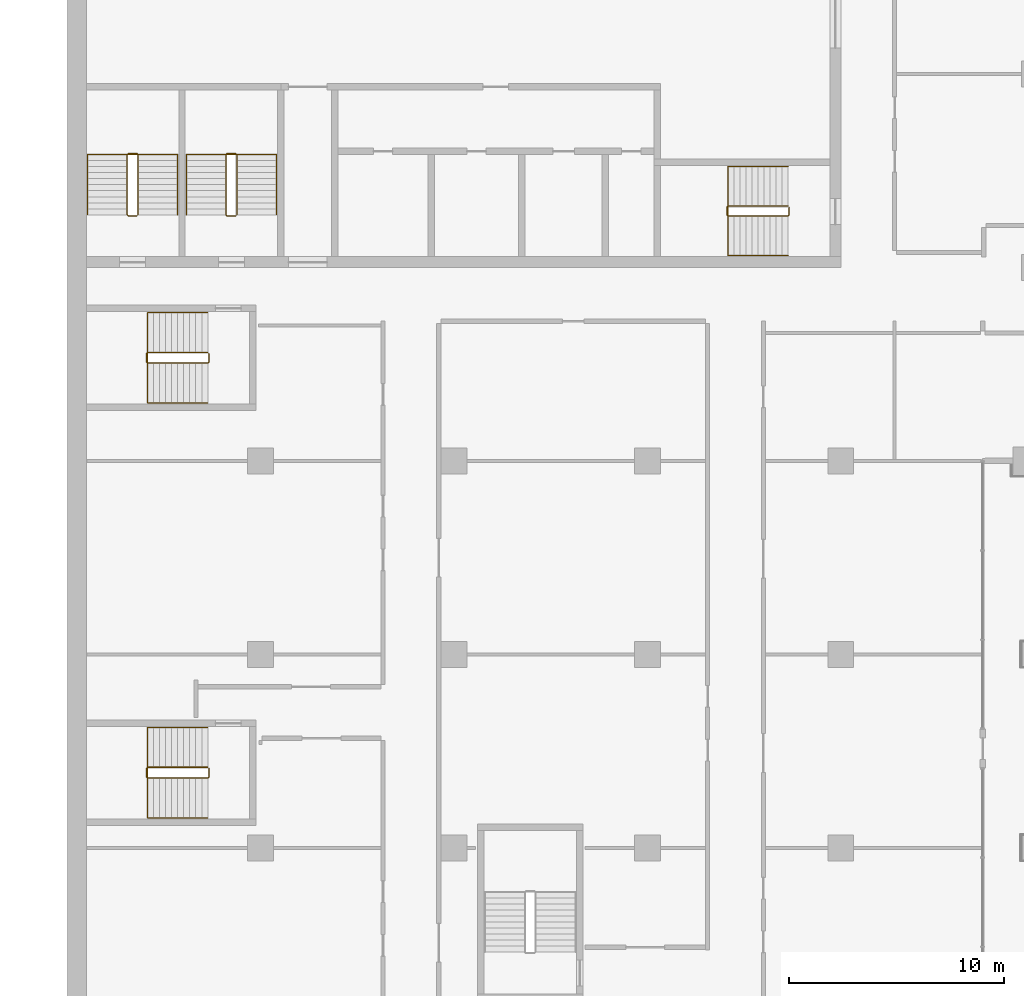
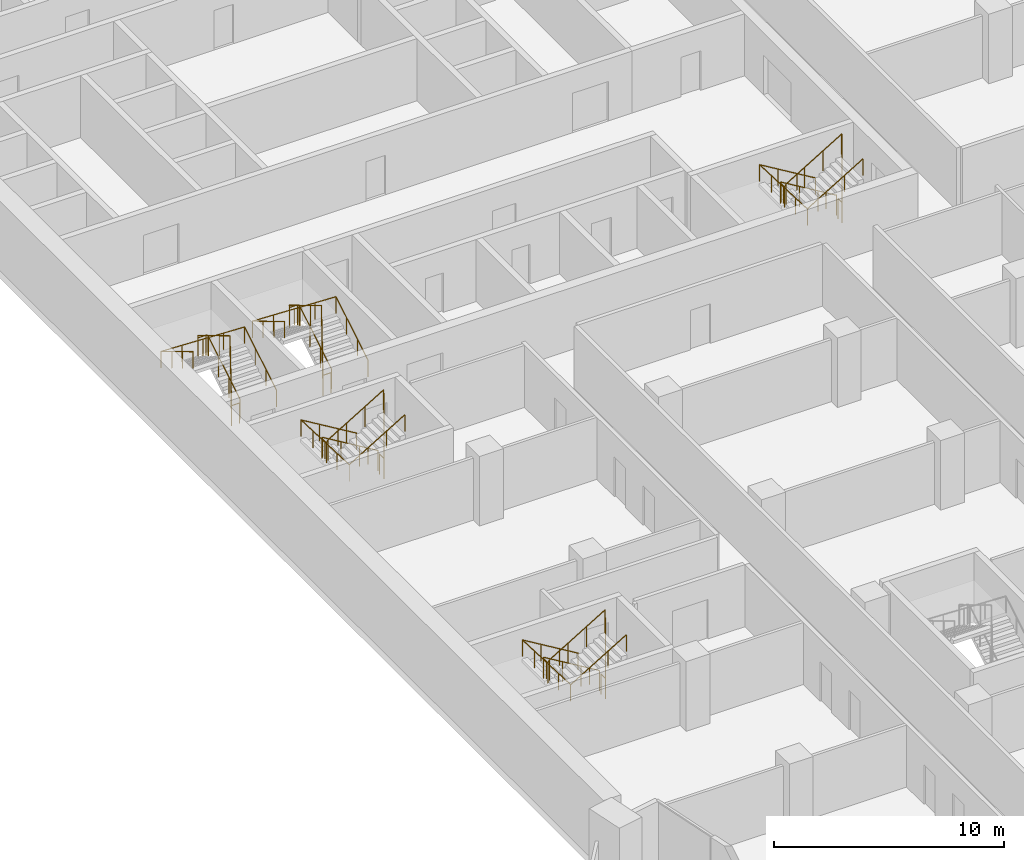
# One storey, part 20 of 22: 10 railings.
"""IFC4 building model written with IfcOpenShell, lengths in metres."""

from ifc_helpers import new_model, si_unit, direction, frame, origin, origin_2d, place, context, subcontext, project, spatial, circle, extrude, material, type_object, element, save


model = new_model("IFC4")

# Units and contexts
model_context = context("Model", 3, precision=1e-05, world=origin(), true_north=direction((0.0, 1.0)))
body_context = subcontext(model_context, "Body", "Model", "MODEL_VIEW")
ifc_project = project(units=[si_unit("LENGTHUNIT", "METRE"), si_unit("AREAUNIT", "SQUARE_METRE"), si_unit("VOLUMEUNIT", "CUBIC_METRE"), si_unit("PLANEANGLEUNIT", "RADIAN"), si_unit("MASSUNIT", "GRAM", prefix="KILO")], contexts=[model_context])

# Site, building, storey
site_placement = place(None, origin())
site = spatial("IfcSite", under=ifc_project, at=site_placement, CompositionType="ELEMENT")
building_placement = place(site_placement, origin())
building = spatial("IfcBuilding", under=site, at=building_placement, Name="Hunhe Ridgeline Campus", CompositionType="ELEMENT")
storey_placement = place(building_placement, frame((0.0, 0.0, 159.699951171875)))
storey = spatial("IfcBuildingStorey", under=building, at=storey_placement, Name="L40", CompositionType="ELEMENT", Elevation=159.699951171875)

# Railings
ifc_material_1 = material(Name="Stainless steel balustrade", Category="steel")
railing_type_1 = type_object("IfcRailingType", Name="Stair guard 1100 stainless", PredefinedType="GUARDRAIL", material=ifc_material_1)
railing_1_placement = place(storey_placement, frame((33.550048828125, 65.85009765625, 0.168212890625)))
element("IfcRailing", 1, at=railing_1_placement, inside=storey, type_object=railing_type_1, Name="L40 stair S2 guard", PredefinedType="GUARDRAIL", context=body_context, shape_type="SweptSolid", body=[
    extrude(circle(Radius=0.02392578125, at=origin_2d()), frame((0.0, 0.0, 1.076171875), z_axis=(-0.857242210791, 0.0, 0.514913383045), x_axis=(0.0, -1.0, 0.0)), (0.0, 0.0, 1.0), 3.266357421875),
    extrude(circle(Radius=0.02392578125, at=origin_2d()), frame((-2.800048828125, 0.0, 2.7578125), z_axis=(-0.707106781187, -0.707106781187, 0.0), x_axis=(0.707106781187, -0.707106781187, 0.0)), (0.0, 0.0, 1.0), 0.07080078125),
    extrude(circle(Radius=0.02392578125, at=origin_2d()), frame((-2.85009765625, -0.050048828125, 2.7578125), z_axis=(0.0, -1.0, 0.0), x_axis=(1.0, 0.0, 0.0)), (0.0, 0.0, 1.0), 0.35009765625),
    extrude(circle(Radius=0.02392578125, at=origin_2d()), frame((-2.85009765625, -0.400146484375, 2.7578125), z_axis=(0.274243871929, -0.274243871929, 0.92172696468), x_axis=(0.707106781187, 0.707106781187, 0.0)), (0.0, 0.0, 1.0), 0.1826171875),
    extrude(circle(Radius=0.02392578125, at=origin_2d()), frame((-2.800048828125, -0.4501953125, 2.92626953125), z_axis=(0.857275202839, 0.0, 0.514858452973), x_axis=(0.0, 1.0, 0.0)), (0.0, 0.0, 1.0), 3.26611328125),
    extrude(circle(Radius=0.02392578125, at=origin_2d()), frame((0.0, -0.4501953125, 4.60791015625), z_axis=(0.013524414389, 0.013524414389, -0.999817073484), x_axis=(-0.707106781187, 0.707106781187, 0.0)), (0.0, 0.0, 1.0), 3.70068359375),
    extrude(circle(Radius=0.02392578125, at=origin_2d()), frame((0.050048828125, -0.400146484375, 0.90771484375), z_axis=(0.0, 1.0, 0.0), x_axis=(-1.0, 0.0, 0.0)), (0.0, 0.0, 1.0), 0.35009765625),
    extrude(circle(Radius=0.02099609375, at=origin_2d()), origin(), (0.0, 0.0, 1.0), 1.052001953125),
    extrude(circle(Radius=0.02099609375, at=origin_2d()), frame((-0.933349609375, 0.0, 0.560546875)), (0.0, 0.0, 1.0), 1.052001953125),
    extrude(circle(Radius=0.02099609375, at=origin_2d()), frame((-1.86669921875, 0.0, 1.121337890625)), (0.0, 0.0, 1.0), 1.052001953125),
    extrude(circle(Radius=0.02099609375, at=origin_2d()), frame((-2.800048828125, 0.0, 1.681884765625)), (0.0, 0.0, 1.0), 1.052001953125),
    extrude(circle(Radius=0.02099609375, at=origin_2d()), frame((-2.85009765625, -0.050048828125, 1.681884765625)), (0.0, 0.0, 1.0), 1.052001953125),
    extrude(circle(Radius=0.02099609375, at=origin_2d()), frame((-2.85009765625, -0.400146484375, 1.681884765625)), (0.0, 0.0, 1.0), 1.052001953125),
    extrude(circle(Radius=0.02099609375, at=origin_2d()), frame((-2.800048828125, -0.4501953125, 1.85009765625)), (0.0, 0.0, 1.0), 1.052001953125),
    extrude(circle(Radius=0.02099609375, at=origin_2d()), frame((-1.86669921875, -0.4501953125, 2.41064453125)), (0.0, 0.0, 1.0), 1.052001953125),
    extrude(circle(Radius=0.02099609375, at=origin_2d()), frame((-0.933349609375, -0.4501953125, 2.97119140625)), (0.0, 0.0, 1.0), 1.052001953125),
    extrude(circle(Radius=0.02099609375, at=origin_2d()), frame((0.0, -0.4501953125, 3.53173828125)), (0.0, 0.0, 1.0), 1.052001953125),
    extrude(circle(Radius=0.02099609375, at=origin_2d()), frame((0.012451171875, -0.437744140625, 2.606689453125)), (0.0, 0.0, 1.0), 1.052001953125),
    extrude(circle(Radius=0.02099609375, at=origin_2d()), frame((0.02490234375, -0.42529296875, 1.681640625)), (0.0, 0.0, 1.0), 1.052001953125),
    extrude(circle(Radius=0.02099609375, at=origin_2d()), frame((0.03759765625, -0.41259765625, 0.7568359375)), (0.0, 0.0, 1.0), 1.052001953125),
    extrude(circle(Radius=0.02099609375, at=origin_2d()), frame((0.050048828125, -0.400146484375, -0.168212890625)), (0.0, 0.0, 1.0), 1.052001953125),
    extrude(circle(Radius=0.02099609375, at=origin_2d()), frame((0.050048828125, -0.050048828125, -0.168212890625)), (0.0, 0.0, 1.0), 1.052001953125),
])
railing_2_placement = place(storey_placement, frame((3.300048828125, 65.449951171875, 0.168212890625)))
element("IfcRailing", 2, at=railing_2_placement, inside=storey, type_object=railing_type_1, Name="L40 stair S3 guard", PredefinedType="GUARDRAIL", context=body_context, shape_type="SweptSolid", body=[
    extrude(circle(Radius=0.02392578125, at=origin_2d()), frame((0.0, 0.0, 1.076171875), z_axis=(0.0, 0.857242210791, 0.514913383045), x_axis=(-1.0, 0.0, 0.0)), (0.0, 0.0, 1.0), 3.266357421875),
    extrude(circle(Radius=0.02392578125, at=origin_2d()), frame((0.0, 2.800048828125, 2.7578125), z_axis=(-0.707106781187, 0.707106781187, 0.0), x_axis=(-0.707106781187, -0.707106781187, 0.0)), (0.0, 0.0, 1.0), 0.07080078125),
    extrude(circle(Radius=0.02392578125, at=origin_2d()), frame((-0.050048828125, 2.85009765625, 2.7578125), z_axis=(-1.0, 0.0, 0.0), x_axis=(0.0, -1.0, 0.0)), (0.0, 0.0, 1.0), 0.39990234375),
    extrude(circle(Radius=0.02392578125, at=origin_2d()), frame((-0.449951171875, 2.85009765625, 2.7578125), z_axis=(-0.274243871929, -0.274243871929, 0.92172696468), x_axis=(0.707106781187, -0.707106781187, 0.0)), (0.0, 0.0, 1.0), 0.1826171875),
    extrude(circle(Radius=0.02392578125, at=origin_2d()), frame((-0.5, 2.800048828125, 2.92626953125), z_axis=(0.0, -0.857275202839, 0.514858452973), x_axis=(1.0, 0.0, 0.0)), (0.0, 0.0, 1.0), 3.26611328125),
    extrude(circle(Radius=0.02392578125, at=origin_2d()), frame((-0.5, 0.0, 4.60791015625), z_axis=(0.013524414389, -0.013524414389, -0.999817073484), x_axis=(0.707106781187, 0.707106781187, 0.0)), (0.0, 0.0, 1.0), 3.70068359375),
    extrude(circle(Radius=0.02392578125, at=origin_2d()), frame((-0.449951171875, -0.050048828125, 0.90771484375), z_axis=(1.0, 0.0, 0.0), x_axis=(0.0, 1.0, 0.0)), (0.0, 0.0, 1.0), 0.39990234375),
    extrude(circle(Radius=0.02099609375, at=origin_2d()), origin(), (0.0, 0.0, 1.0), 1.052001953125),
    extrude(circle(Radius=0.02099609375, at=origin_2d()), frame((0.0, 0.933349609375, 0.560546875)), (0.0, 0.0, 1.0), 1.052001953125),
    extrude(circle(Radius=0.02099609375, at=origin_2d()), frame((0.0, 1.86669921875, 1.121337890625)), (0.0, 0.0, 1.0), 1.052001953125),
    extrude(circle(Radius=0.02099609375, at=origin_2d()), frame((0.0, 2.800048828125, 1.681884765625)), (0.0, 0.0, 1.0), 1.052001953125),
    extrude(circle(Radius=0.02099609375, at=origin_2d()), frame((-0.050048828125, 2.85009765625, 1.681884765625)), (0.0, 0.0, 1.0), 1.052001953125),
    extrude(circle(Radius=0.02099609375, at=origin_2d()), frame((-0.449951171875, 2.85009765625, 1.681884765625)), (0.0, 0.0, 1.0), 1.052001953125),
    extrude(circle(Radius=0.02099609375, at=origin_2d()), frame((-0.5, 2.800048828125, 1.85009765625)), (0.0, 0.0, 1.0), 1.052001953125),
    extrude(circle(Radius=0.02099609375, at=origin_2d()), frame((-0.5, 1.86669921875, 2.41064453125)), (0.0, 0.0, 1.0), 1.052001953125),
    extrude(circle(Radius=0.02099609375, at=origin_2d()), frame((-0.5, 0.933349609375, 2.97119140625)), (0.0, 0.0, 1.0), 1.052001953125),
    extrude(circle(Radius=0.02099609375, at=origin_2d()), frame((-0.5, 0.0, 3.53173828125)), (0.0, 0.0, 1.0), 1.052001953125),
    extrude(circle(Radius=0.02099609375, at=origin_2d()), frame((-0.487548828125, -0.012451171875, 2.606689453125)), (0.0, 0.0, 1.0), 1.052001953125),
    extrude(circle(Radius=0.02099609375, at=origin_2d()), frame((-0.47509765625, -0.02490234375, 1.681640625)), (0.0, 0.0, 1.0), 1.052001953125),
    extrude(circle(Radius=0.02099609375, at=origin_2d()), frame((-0.46240234375, -0.03759765625, 0.7568359375)), (0.0, 0.0, 1.0), 1.052001953125),
    extrude(circle(Radius=0.02099609375, at=origin_2d()), frame((-0.449951171875, -0.050048828125, -0.168212890625)), (0.0, 0.0, 1.0), 1.052001953125),
    extrude(circle(Radius=0.02099609375, at=origin_2d()), frame((-0.050048828125, -0.050048828125, -0.168212890625)), (0.0, 0.0, 1.0), 1.052001953125),
])
railing_3_placement = place(storey_placement, frame((7.89990234375, 65.449951171875, 0.168212890625)))
element("IfcRailing", 3, at=railing_3_placement, inside=storey, type_object=railing_type_1, Name="L40 stair S4 guard", PredefinedType="GUARDRAIL", context=body_context, shape_type="SweptSolid", body=[
    extrude(circle(Radius=0.02392578125, at=origin_2d()), frame((0.0, 0.0, 1.076171875), z_axis=(0.0, 0.857242210791, 0.514913383045), x_axis=(-1.0, 0.0, 0.0)), (0.0, 0.0, 1.0), 3.266357421875),
    extrude(circle(Radius=0.02392578125, at=origin_2d()), frame((0.0, 2.800048828125, 2.7578125), z_axis=(-0.705375805398, 0.708833529934, 0.0), x_axis=(-0.708833529934, -0.705375805398, 0.0)), (0.0, 0.0, 1.0), 0.070556640625),
    extrude(circle(Radius=0.02392578125, at=origin_2d()), frame((-0.0498046875, 2.85009765625, 2.7578125), z_axis=(-1.0, 0.0, 0.0), x_axis=(0.0, -1.0, 0.0)), (0.0, 0.0, 1.0), 0.400146484375),
    extrude(circle(Radius=0.02392578125, at=origin_2d()), frame((-0.449951171875, 2.85009765625, 2.7578125), z_axis=(-0.274243871929, -0.274243871929, 0.92172696468), x_axis=(0.707106781187, -0.707106781187, 0.0)), (0.0, 0.0, 1.0), 0.1826171875),
    extrude(circle(Radius=0.02392578125, at=origin_2d()), frame((-0.5, 2.800048828125, 2.92626953125), z_axis=(0.0, -0.857275202839, 0.514858452973), x_axis=(1.0, 0.0, 0.0)), (0.0, 0.0, 1.0), 3.26611328125),
    extrude(circle(Radius=0.02392578125, at=origin_2d()), frame((-0.5, 0.0, 4.60791015625), z_axis=(0.013524414389, -0.013524414389, -0.999817073484), x_axis=(0.707106781187, 0.707106781187, 0.0)), (0.0, 0.0, 1.0), 3.70068359375),
    extrude(circle(Radius=0.02392578125, at=origin_2d()), frame((-0.449951171875, -0.050048828125, 0.90771484375), z_axis=(1.0, 0.0, 0.0), x_axis=(0.0, 1.0, 0.0)), (0.0, 0.0, 1.0), 0.400146484375),
    extrude(circle(Radius=0.02099609375, at=origin_2d()), origin(), (0.0, 0.0, 1.0), 1.052001953125),
    extrude(circle(Radius=0.02099609375, at=origin_2d()), frame((0.0, 0.933349609375, 0.560546875)), (0.0, 0.0, 1.0), 1.052001953125),
    extrude(circle(Radius=0.02099609375, at=origin_2d()), frame((0.0, 1.86669921875, 1.121337890625)), (0.0, 0.0, 1.0), 1.052001953125),
    extrude(circle(Radius=0.02099609375, at=origin_2d()), frame((0.0, 2.800048828125, 1.681884765625)), (0.0, 0.0, 1.0), 1.052001953125),
    extrude(circle(Radius=0.02099609375, at=origin_2d()), frame((-0.0498046875, 2.85009765625, 1.681884765625)), (0.0, 0.0, 1.0), 1.052001953125),
    extrude(circle(Radius=0.02099609375, at=origin_2d()), frame((-0.449951171875, 2.85009765625, 1.681884765625)), (0.0, 0.0, 1.0), 1.052001953125),
    extrude(circle(Radius=0.02099609375, at=origin_2d()), frame((-0.5, 2.800048828125, 1.85009765625)), (0.0, 0.0, 1.0), 1.052001953125),
    extrude(circle(Radius=0.02099609375, at=origin_2d()), frame((-0.5, 1.86669921875, 2.41064453125)), (0.0, 0.0, 1.0), 1.052001953125),
    extrude(circle(Radius=0.02099609375, at=origin_2d()), frame((-0.5, 0.933349609375, 2.97119140625)), (0.0, 0.0, 1.0), 1.052001953125),
    extrude(circle(Radius=0.02099609375, at=origin_2d()), frame((-0.5, 0.0, 3.53173828125)), (0.0, 0.0, 1.0), 1.052001953125),
    extrude(circle(Radius=0.02099609375, at=origin_2d()), frame((-0.487548828125, -0.012451171875, 2.606689453125)), (0.0, 0.0, 1.0), 1.052001953125),
    extrude(circle(Radius=0.02099609375, at=origin_2d()), frame((-0.47509765625, -0.02490234375, 1.681640625)), (0.0, 0.0, 1.0), 1.052001953125),
    extrude(circle(Radius=0.02099609375, at=origin_2d()), frame((-0.46240234375, -0.03759765625, 0.7568359375)), (0.0, 0.0, 1.0), 1.052001953125),
    extrude(circle(Radius=0.02099609375, at=origin_2d()), frame((-0.449951171875, -0.050048828125, -0.168212890625)), (0.0, 0.0, 1.0), 1.052001953125),
    extrude(circle(Radius=0.02099609375, at=origin_2d()), frame((-0.0498046875, -0.050048828125, -0.168212890625)), (0.0, 0.0, 1.0), 1.052001953125),
])
railing_4_placement = place(storey_placement, frame((6.550048828125, 39.75, 0.168212890625)))
element("IfcRailing", 4, at=railing_4_placement, inside=storey, type_object=railing_type_1, Name="L40 stair W1 guard", PredefinedType="GUARDRAIL", context=body_context, shape_type="SweptSolid", body=[
    extrude(circle(Radius=0.02392578125, at=origin_2d()), frame((0.0, 0.0, 1.076171875), z_axis=(-0.857242210791, 0.0, 0.514913383045), x_axis=(0.0, -1.0, 0.0)), (0.0, 0.0, 1.0), 3.266357421875),
    extrude(circle(Radius=0.02392578125, at=origin_2d()), frame((-2.800048828125, 0.0, 2.7578125), z_axis=(-0.707106781187, -0.707106781187, 0.0), x_axis=(0.707106781187, -0.707106781187, 0.0)), (0.0, 0.0, 1.0), 0.07080078125),
    extrude(circle(Radius=0.02392578125, at=origin_2d()), frame((-2.85009765625, -0.050048828125, 2.7578125), z_axis=(0.0, -1.0, 0.0), x_axis=(1.0, 0.0, 0.0)), (0.0, 0.0, 1.0), 0.39990234375),
    extrude(circle(Radius=0.02392578125, at=origin_2d()), frame((-2.85009765625, -0.449951171875, 2.7578125), z_axis=(0.274243871929, -0.274243871929, 0.92172696468), x_axis=(0.707106781187, 0.707106781187, 0.0)), (0.0, 0.0, 1.0), 0.1826171875),
    extrude(circle(Radius=0.02392578125, at=origin_2d()), frame((-2.800048828125, -0.5, 2.92626953125), z_axis=(0.857275202839, 0.0, 0.514858452973), x_axis=(0.0, 1.0, 0.0)), (0.0, 0.0, 1.0), 3.26611328125),
    extrude(circle(Radius=0.02392578125, at=origin_2d()), frame((0.0, -0.5, 4.60791015625), z_axis=(0.013524414389, 0.013524414389, -0.999817073484), x_axis=(-0.707106781187, 0.707106781187, 0.0)), (0.0, 0.0, 1.0), 3.70068359375),
    extrude(circle(Radius=0.02392578125, at=origin_2d()), frame((0.050048828125, -0.449951171875, 0.90771484375), z_axis=(0.0, 1.0, 0.0), x_axis=(-1.0, 0.0, 0.0)), (0.0, 0.0, 1.0), 0.39990234375),
    extrude(circle(Radius=0.02099609375, at=origin_2d()), origin(), (0.0, 0.0, 1.0), 1.052001953125),
    extrude(circle(Radius=0.02099609375, at=origin_2d()), frame((-0.933349609375, 0.0, 0.560546875)), (0.0, 0.0, 1.0), 1.052001953125),
    extrude(circle(Radius=0.02099609375, at=origin_2d()), frame((-1.86669921875, 0.0, 1.121337890625)), (0.0, 0.0, 1.0), 1.052001953125),
    extrude(circle(Radius=0.02099609375, at=origin_2d()), frame((-2.800048828125, 0.0, 1.681884765625)), (0.0, 0.0, 1.0), 1.052001953125),
    extrude(circle(Radius=0.02099609375, at=origin_2d()), frame((-2.85009765625, -0.050048828125, 1.681884765625)), (0.0, 0.0, 1.0), 1.052001953125),
    extrude(circle(Radius=0.02099609375, at=origin_2d()), frame((-2.85009765625, -0.449951171875, 1.681884765625)), (0.0, 0.0, 1.0), 1.052001953125),
    extrude(circle(Radius=0.02099609375, at=origin_2d()), frame((-2.800048828125, -0.5, 1.85009765625)), (0.0, 0.0, 1.0), 1.052001953125),
    extrude(circle(Radius=0.02099609375, at=origin_2d()), frame((-1.86669921875, -0.5, 2.41064453125)), (0.0, 0.0, 1.0), 1.052001953125),
    extrude(circle(Radius=0.02099609375, at=origin_2d()), frame((-0.933349609375, -0.5, 2.97119140625)), (0.0, 0.0, 1.0), 1.052001953125),
    extrude(circle(Radius=0.02099609375, at=origin_2d()), frame((0.0, -0.5, 3.53173828125)), (0.0, 0.0, 1.0), 1.052001953125),
    extrude(circle(Radius=0.02099609375, at=origin_2d()), frame((0.012451171875, -0.487548828125, 2.606689453125)), (0.0, 0.0, 1.0), 1.052001953125),
    extrude(circle(Radius=0.02099609375, at=origin_2d()), frame((0.02490234375, -0.47509765625, 1.681640625)), (0.0, 0.0, 1.0), 1.052001953125),
    extrude(circle(Radius=0.02099609375, at=origin_2d()), frame((0.03759765625, -0.46240234375, 0.7568359375)), (0.0, 0.0, 1.0), 1.052001953125),
    extrude(circle(Radius=0.02099609375, at=origin_2d()), frame((0.050048828125, -0.449951171875, -0.168212890625)), (0.0, 0.0, 1.0), 1.052001953125),
    extrude(circle(Radius=0.02099609375, at=origin_2d()), frame((0.050048828125, -0.050048828125, -0.168212890625)), (0.0, 0.0, 1.0), 1.052001953125),
])
railing_5_placement = place(storey_placement, frame((6.550048828125, 59.050048828125, 0.168212890625)))
element("IfcRailing", 5, at=railing_5_placement, inside=storey, type_object=railing_type_1, Name="L40 stair W2 guard", PredefinedType="GUARDRAIL", context=body_context, shape_type="SweptSolid", body=[
    extrude(circle(Radius=0.02392578125, at=origin_2d()), frame((0.0, 0.0, 1.076171875), z_axis=(-0.857242210791, 0.0, 0.514913383045), x_axis=(0.0, -1.0, 0.0)), (0.0, 0.0, 1.0), 3.266357421875),
    extrude(circle(Radius=0.02392578125, at=origin_2d()), frame((-2.800048828125, 0.0, 2.7578125), z_axis=(-0.707106781187, -0.707106781187, 0.0), x_axis=(0.707106781187, -0.707106781187, 0.0)), (0.0, 0.0, 1.0), 0.07080078125),
    extrude(circle(Radius=0.02392578125, at=origin_2d()), frame((-2.85009765625, -0.050048828125, 2.7578125), z_axis=(0.0, -1.0, 0.0), x_axis=(1.0, 0.0, 0.0)), (0.0, 0.0, 1.0), 0.39990234375),
    extrude(circle(Radius=0.02392578125, at=origin_2d()), frame((-2.85009765625, -0.449951171875, 2.7578125), z_axis=(0.274243871929, -0.274243871929, 0.92172696468), x_axis=(0.707106781187, 0.707106781187, 0.0)), (0.0, 0.0, 1.0), 0.1826171875),
    extrude(circle(Radius=0.02392578125, at=origin_2d()), frame((-2.800048828125, -0.5, 2.92626953125), z_axis=(0.857275202839, 0.0, 0.514858452973), x_axis=(0.0, 1.0, 0.0)), (0.0, 0.0, 1.0), 3.26611328125),
    extrude(circle(Radius=0.02392578125, at=origin_2d()), frame((0.0, -0.5, 4.60791015625), z_axis=(0.013524414389, 0.013524414389, -0.999817073484), x_axis=(-0.707106781187, 0.707106781187, 0.0)), (0.0, 0.0, 1.0), 3.70068359375),
    extrude(circle(Radius=0.02392578125, at=origin_2d()), frame((0.050048828125, -0.449951171875, 0.90771484375), z_axis=(0.0, 1.0, 0.0), x_axis=(-1.0, 0.0, 0.0)), (0.0, 0.0, 1.0), 0.39990234375),
    extrude(circle(Radius=0.02099609375, at=origin_2d()), origin(), (0.0, 0.0, 1.0), 1.052001953125),
    extrude(circle(Radius=0.02099609375, at=origin_2d()), frame((-0.933349609375, 0.0, 0.560546875)), (0.0, 0.0, 1.0), 1.052001953125),
    extrude(circle(Radius=0.02099609375, at=origin_2d()), frame((-1.86669921875, 0.0, 1.121337890625)), (0.0, 0.0, 1.0), 1.052001953125),
    extrude(circle(Radius=0.02099609375, at=origin_2d()), frame((-2.800048828125, 0.0, 1.681884765625)), (0.0, 0.0, 1.0), 1.052001953125),
    extrude(circle(Radius=0.02099609375, at=origin_2d()), frame((-2.85009765625, -0.050048828125, 1.681884765625)), (0.0, 0.0, 1.0), 1.052001953125),
    extrude(circle(Radius=0.02099609375, at=origin_2d()), frame((-2.85009765625, -0.449951171875, 1.681884765625)), (0.0, 0.0, 1.0), 1.052001953125),
    extrude(circle(Radius=0.02099609375, at=origin_2d()), frame((-2.800048828125, -0.5, 1.85009765625)), (0.0, 0.0, 1.0), 1.052001953125),
    extrude(circle(Radius=0.02099609375, at=origin_2d()), frame((-1.86669921875, -0.5, 2.41064453125)), (0.0, 0.0, 1.0), 1.052001953125),
    extrude(circle(Radius=0.02099609375, at=origin_2d()), frame((-0.933349609375, -0.5, 2.97119140625)), (0.0, 0.0, 1.0), 1.052001953125),
    extrude(circle(Radius=0.02099609375, at=origin_2d()), frame((0.0, -0.5, 3.53173828125)), (0.0, 0.0, 1.0), 1.052001953125),
    extrude(circle(Radius=0.02099609375, at=origin_2d()), frame((0.012451171875, -0.487548828125, 2.606689453125)), (0.0, 0.0, 1.0), 1.052001953125),
    extrude(circle(Radius=0.02099609375, at=origin_2d()), frame((0.02490234375, -0.47509765625, 1.681640625)), (0.0, 0.0, 1.0), 1.052001953125),
    extrude(circle(Radius=0.02099609375, at=origin_2d()), frame((0.03759765625, -0.46240234375, 0.7568359375)), (0.0, 0.0, 1.0), 1.052001953125),
    extrude(circle(Radius=0.02099609375, at=origin_2d()), frame((0.050048828125, -0.449951171875, -0.168212890625)), (0.0, 0.0, 1.0), 1.052001953125),
    extrude(circle(Radius=0.02099609375, at=origin_2d()), frame((0.050048828125, -0.050048828125, -0.168212890625)), (0.0, 0.0, 1.0), 1.052001953125),
])
ifc_material_2 = material(Name="Stainless steel handrail", Category="steel")
railing_type_2 = type_object("IfcRailingType", Name="Stair handrail 900 stainless", PredefinedType="HANDRAIL", material=ifc_material_2)
railing_6_placement = place(storey_placement, frame((33.550048828125, 67.699951171875, 0.168212890625)))
element("IfcRailing", 6, at=railing_6_placement, inside=storey, type_object=railing_type_2, Name="L40 stair S2 handrail", PredefinedType="HANDRAIL", context=body_context, shape_type="SweptSolid", body=[
    extrude(circle(Radius=0.02392578125, at=origin_2d()), frame((0.0, 0.0, 0.8759765625), z_axis=(-0.857242210791, 0.0, 0.514913383045), x_axis=(0.0, -1.0, 0.0)), (0.0, 0.0, 1.0), 3.266357421875),
    extrude(circle(Radius=0.02392578125, at=origin_2d()), frame((-2.800048828125, 0.0, 2.5576171875), z_axis=(0.0, -0.99917950104, 0.040500922239), x_axis=(1.0, 0.0, 0.0)), (0.0, 0.0, 1.0), 4.1533203125),
    extrude(circle(Radius=0.02392578125, at=origin_2d()), frame((-2.800048828125, -4.14990234375, 2.72607421875), z_axis=(0.857275202839, 0.0, 0.514858452973), x_axis=(0.0, 1.0, 0.0)), (0.0, 0.0, 1.0), 3.26611328125),
    extrude(circle(Radius=0.02099609375, at=origin_2d()), origin(), (0.0, 0.0, 1.0), 0.851806640625),
    extrude(circle(Radius=0.02099609375, at=origin_2d()), frame((-0.933349609375, 0.0, 0.560546875)), (0.0, 0.0, 1.0), 0.851806640625),
    extrude(circle(Radius=0.02099609375, at=origin_2d()), frame((-1.86669921875, 0.0, 1.121337890625)), (0.0, 0.0, 1.0), 0.851806640625),
    extrude(circle(Radius=0.02099609375, at=origin_2d()), frame((-2.800048828125, 0.0, 1.681884765625)), (0.0, 0.0, 1.0), 0.851806640625),
    extrude(circle(Radius=0.02099609375, at=origin_2d()), frame((-2.800048828125, -1.03759765625, 1.723876953125)), (0.0, 0.0, 1.0), 0.851806640625),
    extrude(circle(Radius=0.02099609375, at=origin_2d()), frame((-2.800048828125, -2.074951171875, 1.76611328125)), (0.0, 0.0, 1.0), 0.851806640625),
    extrude(circle(Radius=0.02099609375, at=origin_2d()), frame((-2.800048828125, -3.1123046875, 1.80810546875)), (0.0, 0.0, 1.0), 0.851806640625),
    extrude(circle(Radius=0.02099609375, at=origin_2d()), frame((-2.800048828125, -4.14990234375, 1.85009765625)), (0.0, 0.0, 1.0), 0.851806640625),
    extrude(circle(Radius=0.02099609375, at=origin_2d()), frame((-1.86669921875, -4.14990234375, 2.41064453125)), (0.0, 0.0, 1.0), 0.851806640625),
    extrude(circle(Radius=0.02099609375, at=origin_2d()), frame((-0.933349609375, -4.14990234375, 2.97119140625)), (0.0, 0.0, 1.0), 0.851806640625),
    extrude(circle(Radius=0.02099609375, at=origin_2d()), frame((0.0, -4.14990234375, 3.53173828125)), (0.0, 0.0, 1.0), 0.851806640625),
])
railing_7_placement = place(storey_placement, frame((5.14990234375, 65.449951171875, 0.168212890625)))
element("IfcRailing", 7, at=railing_7_placement, inside=storey, type_object=railing_type_2, Name="L40 stair S3 handrail", PredefinedType="HANDRAIL", context=body_context, shape_type="SweptSolid", body=[
    extrude(circle(Radius=0.02392578125, at=origin_2d()), frame((0.0, 0.0, 0.8759765625), z_axis=(0.0, 0.857242210791, 0.514913383045), x_axis=(-1.0, 0.0, 0.0)), (0.0, 0.0, 1.0), 3.266357421875),
    extrude(circle(Radius=0.02392578125, at=origin_2d()), frame((0.0, 2.800048828125, 2.5576171875), z_axis=(-0.999198916169, 0.0, 0.040019069537), x_axis=(0.0, -1.0, 0.0)), (0.0, 0.0, 1.0), 4.203369140625),
    extrude(circle(Radius=0.02392578125, at=origin_2d()), frame((-4.199951171875, 2.800048828125, 2.72607421875), z_axis=(0.0, -0.857275202839, 0.514858452973), x_axis=(1.0, 0.0, 0.0)), (0.0, 0.0, 1.0), 3.26611328125),
    extrude(circle(Radius=0.02099609375, at=origin_2d()), origin(), (0.0, 0.0, 1.0), 0.851806640625),
    extrude(circle(Radius=0.02099609375, at=origin_2d()), frame((0.0, 0.933349609375, 0.560546875)), (0.0, 0.0, 1.0), 0.851806640625),
    extrude(circle(Radius=0.02099609375, at=origin_2d()), frame((0.0, 1.86669921875, 1.121337890625)), (0.0, 0.0, 1.0), 0.851806640625),
    extrude(circle(Radius=0.02099609375, at=origin_2d()), frame((0.0, 2.800048828125, 1.681884765625)), (0.0, 0.0, 1.0), 0.851806640625),
    extrude(circle(Radius=0.02099609375, at=origin_2d()), frame((-1.050048828125, 2.800048828125, 1.723876953125)), (0.0, 0.0, 1.0), 0.851806640625),
    extrude(circle(Radius=0.02099609375, at=origin_2d()), frame((-2.10009765625, 2.800048828125, 1.76611328125)), (0.0, 0.0, 1.0), 0.851806640625),
    extrude(circle(Radius=0.02099609375, at=origin_2d()), frame((-3.14990234375, 2.800048828125, 1.80810546875)), (0.0, 0.0, 1.0), 0.851806640625),
    extrude(circle(Radius=0.02099609375, at=origin_2d()), frame((-4.199951171875, 2.800048828125, 1.85009765625)), (0.0, 0.0, 1.0), 0.851806640625),
    extrude(circle(Radius=0.02099609375, at=origin_2d()), frame((-4.199951171875, 1.86669921875, 2.41064453125)), (0.0, 0.0, 1.0), 0.851806640625),
    extrude(circle(Radius=0.02099609375, at=origin_2d()), frame((-4.199951171875, 0.933349609375, 2.97119140625)), (0.0, 0.0, 1.0), 0.851806640625),
    extrude(circle(Radius=0.02099609375, at=origin_2d()), frame((-4.199951171875, 0.0, 3.53173828125)), (0.0, 0.0, 1.0), 0.851806640625),
])
railing_8_placement = place(storey_placement, frame((9.75, 65.449951171875, 0.168212890625)))
element("IfcRailing", 8, at=railing_8_placement, inside=storey, type_object=railing_type_2, Name="L40 stair S4 handrail", PredefinedType="HANDRAIL", context=body_context, shape_type="SweptSolid", body=[
    extrude(circle(Radius=0.02392578125, at=origin_2d()), frame((0.0, 0.0, 0.8759765625), z_axis=(0.0, 0.857242210791, 0.514913383045), x_axis=(-1.0, 0.0, 0.0)), (0.0, 0.0, 1.0), 3.266357421875),
    extrude(circle(Radius=0.02392578125, at=origin_2d()), frame((0.0, 2.800048828125, 2.5576171875), z_axis=(-0.999198916169, 0.0, 0.040019069537), x_axis=(0.0, -1.0, 0.0)), (0.0, 0.0, 1.0), 4.203369140625),
    extrude(circle(Radius=0.02392578125, at=origin_2d()), frame((-4.199951171875, 2.800048828125, 2.72607421875), z_axis=(0.0, -0.857275202839, 0.514858452973), x_axis=(1.0, 0.0, 0.0)), (0.0, 0.0, 1.0), 3.26611328125),
    extrude(circle(Radius=0.02099609375, at=origin_2d()), origin(), (0.0, 0.0, 1.0), 0.851806640625),
    extrude(circle(Radius=0.02099609375, at=origin_2d()), frame((0.0, 0.933349609375, 0.560546875)), (0.0, 0.0, 1.0), 0.851806640625),
    extrude(circle(Radius=0.02099609375, at=origin_2d()), frame((0.0, 1.86669921875, 1.121337890625)), (0.0, 0.0, 1.0), 0.851806640625),
    extrude(circle(Radius=0.02099609375, at=origin_2d()), frame((0.0, 2.800048828125, 1.681884765625)), (0.0, 0.0, 1.0), 0.851806640625),
    extrude(circle(Radius=0.02099609375, at=origin_2d()), frame((-1.050048828125, 2.800048828125, 1.723876953125)), (0.0, 0.0, 1.0), 0.851806640625),
    extrude(circle(Radius=0.02099609375, at=origin_2d()), frame((-2.10009765625, 2.800048828125, 1.76611328125)), (0.0, 0.0, 1.0), 0.851806640625),
    extrude(circle(Radius=0.02099609375, at=origin_2d()), frame((-3.14990234375, 2.800048828125, 1.80810546875)), (0.0, 0.0, 1.0), 0.851806640625),
    extrude(circle(Radius=0.02099609375, at=origin_2d()), frame((-4.199951171875, 2.800048828125, 1.85009765625)), (0.0, 0.0, 1.0), 0.851806640625),
    extrude(circle(Radius=0.02099609375, at=origin_2d()), frame((-4.199951171875, 1.86669921875, 2.41064453125)), (0.0, 0.0, 1.0), 0.851806640625),
    extrude(circle(Radius=0.02099609375, at=origin_2d()), frame((-4.199951171875, 0.933349609375, 2.97119140625)), (0.0, 0.0, 1.0), 0.851806640625),
    extrude(circle(Radius=0.02099609375, at=origin_2d()), frame((-4.199951171875, 0.0, 3.53173828125)), (0.0, 0.0, 1.0), 0.851806640625),
])
railing_9_placement = place(storey_placement, frame((6.550048828125, 41.60009765625, 0.168212890625)))
element("IfcRailing", 9, at=railing_9_placement, inside=storey, type_object=railing_type_2, Name="L40 stair W1 handrail", PredefinedType="HANDRAIL", context=body_context, shape_type="SweptSolid", body=[
    extrude(circle(Radius=0.02392578125, at=origin_2d()), frame((0.0, 0.0, 0.8759765625), z_axis=(-0.857242210791, 0.0, 0.514913383045), x_axis=(0.0, -1.0, 0.0)), (0.0, 0.0, 1.0), 3.266357421875),
    extrude(circle(Radius=0.02392578125, at=origin_2d()), frame((-2.800048828125, 0.0, 2.5576171875), z_axis=(0.0, -0.999199009182, 0.040016747113), x_axis=(1.0, 0.0, 0.0)), (0.0, 0.0, 1.0), 4.20361328125),
    extrude(circle(Radius=0.02392578125, at=origin_2d()), frame((-2.800048828125, -4.2001953125, 2.72607421875), z_axis=(0.857275202839, 0.0, 0.514858452973), x_axis=(0.0, 1.0, 0.0)), (0.0, 0.0, 1.0), 3.26611328125),
    extrude(circle(Radius=0.02099609375, at=origin_2d()), origin(), (0.0, 0.0, 1.0), 0.851806640625),
    extrude(circle(Radius=0.02099609375, at=origin_2d()), frame((-0.933349609375, 0.0, 0.560546875)), (0.0, 0.0, 1.0), 0.851806640625),
    extrude(circle(Radius=0.02099609375, at=origin_2d()), frame((-1.86669921875, 0.0, 1.121337890625)), (0.0, 0.0, 1.0), 0.851806640625),
    extrude(circle(Radius=0.02099609375, at=origin_2d()), frame((-2.800048828125, 0.0, 1.681884765625)), (0.0, 0.0, 1.0), 0.851806640625),
    extrude(circle(Radius=0.02099609375, at=origin_2d()), frame((-2.800048828125, -1.050048828125, 1.723876953125)), (0.0, 0.0, 1.0), 0.851806640625),
    extrude(circle(Radius=0.02099609375, at=origin_2d()), frame((-2.800048828125, -2.10009765625, 1.76611328125)), (0.0, 0.0, 1.0), 0.851806640625),
    extrude(circle(Radius=0.02099609375, at=origin_2d()), frame((-2.800048828125, -3.150146484375, 1.80810546875)), (0.0, 0.0, 1.0), 0.851806640625),
    extrude(circle(Radius=0.02099609375, at=origin_2d()), frame((-2.800048828125, -4.2001953125, 1.85009765625)), (0.0, 0.0, 1.0), 0.851806640625),
    extrude(circle(Radius=0.02099609375, at=origin_2d()), frame((-1.86669921875, -4.2001953125, 2.41064453125)), (0.0, 0.0, 1.0), 0.851806640625),
    extrude(circle(Radius=0.02099609375, at=origin_2d()), frame((-0.933349609375, -4.2001953125, 2.97119140625)), (0.0, 0.0, 1.0), 0.851806640625),
    extrude(circle(Radius=0.02099609375, at=origin_2d()), frame((0.0, -4.2001953125, 3.53173828125)), (0.0, 0.0, 1.0), 0.851806640625),
])
railing_10_placement = place(storey_placement, frame((6.550048828125, 60.89990234375, 0.168212890625)))
element("IfcRailing", 10, at=railing_10_placement, inside=storey, type_object=railing_type_2, Name="L40 stair W2 handrail", PredefinedType="HANDRAIL", context=body_context, shape_type="SweptSolid", body=[
    extrude(circle(Radius=0.02392578125, at=origin_2d()), frame((0.0, 0.0, 0.8759765625), z_axis=(-0.857242210791, 0.0, 0.514913383045), x_axis=(0.0, -1.0, 0.0)), (0.0, 0.0, 1.0), 3.266357421875),
    extrude(circle(Radius=0.02392578125, at=origin_2d()), frame((-2.800048828125, 0.0, 2.5576171875), z_axis=(0.0, -0.999198916169, 0.040019069537), x_axis=(1.0, 0.0, 0.0)), (0.0, 0.0, 1.0), 4.203369140625),
    extrude(circle(Radius=0.02392578125, at=origin_2d()), frame((-2.800048828125, -4.199951171875, 2.72607421875), z_axis=(0.857275202839, 0.0, 0.514858452973), x_axis=(0.0, 1.0, 0.0)), (0.0, 0.0, 1.0), 3.26611328125),
    extrude(circle(Radius=0.02099609375, at=origin_2d()), origin(), (0.0, 0.0, 1.0), 0.851806640625),
    extrude(circle(Radius=0.02099609375, at=origin_2d()), frame((-0.933349609375, 0.0, 0.560546875)), (0.0, 0.0, 1.0), 0.851806640625),
    extrude(circle(Radius=0.02099609375, at=origin_2d()), frame((-1.86669921875, 0.0, 1.121337890625)), (0.0, 0.0, 1.0), 0.851806640625),
    extrude(circle(Radius=0.02099609375, at=origin_2d()), frame((-2.800048828125, 0.0, 1.681884765625)), (0.0, 0.0, 1.0), 0.851806640625),
    extrude(circle(Radius=0.02099609375, at=origin_2d()), frame((-2.800048828125, -1.050048828125, 1.723876953125)), (0.0, 0.0, 1.0), 0.851806640625),
    extrude(circle(Radius=0.02099609375, at=origin_2d()), frame((-2.800048828125, -2.10009765625, 1.76611328125)), (0.0, 0.0, 1.0), 0.851806640625),
    extrude(circle(Radius=0.02099609375, at=origin_2d()), frame((-2.800048828125, -3.14990234375, 1.80810546875)), (0.0, 0.0, 1.0), 0.851806640625),
    extrude(circle(Radius=0.02099609375, at=origin_2d()), frame((-2.800048828125, -4.199951171875, 1.85009765625)), (0.0, 0.0, 1.0), 0.851806640625),
    extrude(circle(Radius=0.02099609375, at=origin_2d()), frame((-1.86669921875, -4.199951171875, 2.41064453125)), (0.0, 0.0, 1.0), 0.851806640625),
    extrude(circle(Radius=0.02099609375, at=origin_2d()), frame((-0.933349609375, -4.199951171875, 2.97119140625)), (0.0, 0.0, 1.0), 0.851806640625),
    extrude(circle(Radius=0.02099609375, at=origin_2d()), frame((0.0, -4.199951171875, 3.53173828125)), (0.0, 0.0, 1.0), 0.851806640625),
])

save(model, "model.ifc")
